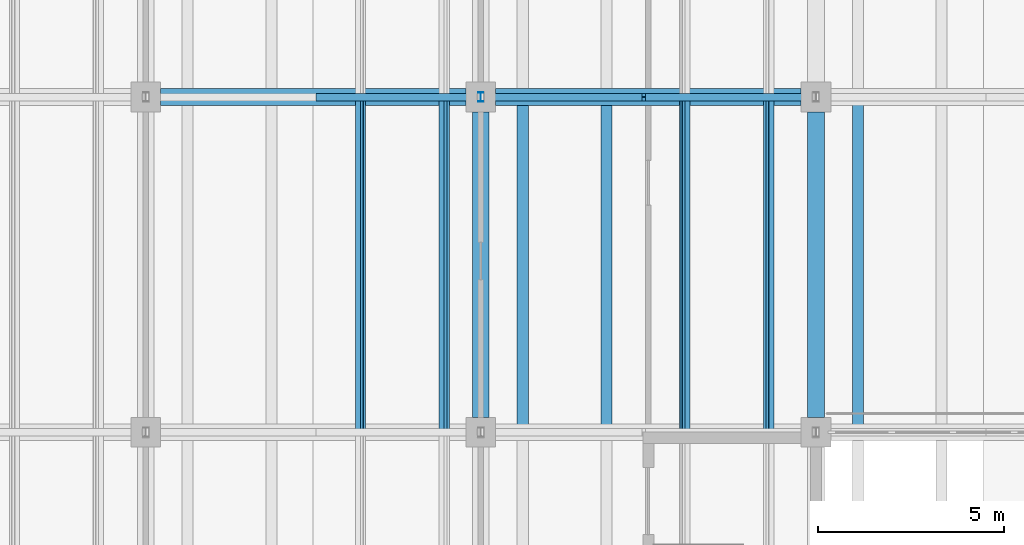
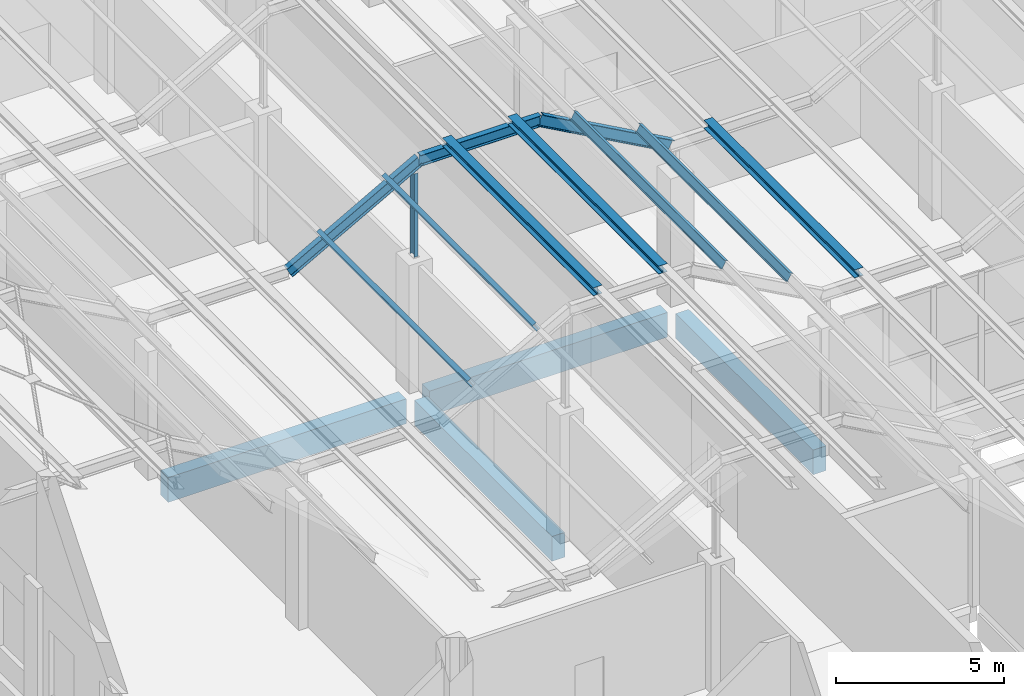
# One storey, part 34 of 437: 11 members, 4 beams.
"""IFC4 building model written with IfcOpenShell, lengths in metres."""

from ifc_helpers import new_model, si_unit, direction, frame, origin, origin_2d, place, context, subcontext, project, spatial, rectangle, i_section, extrude, material, material_profile, profile_set, type_object, element, save


model = new_model("IFC4")

# Units and contexts
model_context = context("Model", 3, precision=1e-05, world=origin(), true_north=direction((0.0, 1.0)))
body_context = subcontext(model_context, "Body", "Model", "MODEL_VIEW")
ifc_project = project(units=[si_unit("LENGTHUNIT", "METRE"), si_unit("AREAUNIT", "SQUARE_METRE"), si_unit("VOLUMEUNIT", "CUBIC_METRE"), si_unit("PLANEANGLEUNIT", "RADIAN"), si_unit("MASSUNIT", "GRAM", prefix="KILO")], contexts=[model_context])

# Site, building, storey
site_placement = place(None, origin())
site = spatial("IfcSite", under=ifc_project, at=site_placement, CompositionType="ELEMENT")
building_placement = place(site_placement, origin())
building = spatial("IfcBuilding", under=site, at=building_placement, Name="Opaline Strait Convention Centre", CompositionType="ELEMENT")
storey_placement = place(building_placement, frame((0.0, 0.0, 11.5)))
storey = spatial("IfcBuildingStorey", under=building, at=storey_placement, Name="L02", CompositionType="ELEMENT", Elevation=11.5)

# Members
ifc_material_1 = material(Name="Steel Q355B", Category="steel")
ifc_material_profile_1 = material_profile(ifc_material_1, i_section(OverallWidth=0.300048828125, OverallDepth=0.300048828125, WebThickness=0.010009765625, FlangeThickness=0.014892578125, FilletRadius=0.012939453125, at=origin_2d()), Name="HW 300x300x10x15")
ifc_profile_set_1 = profile_set([ifc_material_profile_1], Name="Steel Q355B")
member_type_1 = type_object("IfcMemberType", Name="Crest purlin HW 300x300x10x15", PredefinedType="PURLIN", material=ifc_profile_set_1)
for number, where, z_axis, x_axis, name in (
    (1, (28.125, 63.0, 8.449951171875), (0.0, 1.0, 0.0), (-1.0, 0.0, 0.0), "RU1 purlin facet 5 line 1"),
    (2, (30.375, 63.0, 8.449951171875), (0.0, 1.0, 0.0), (-1.0, 0.0, 0.0), "RU1 purlin facet 5 line 2"),
    (3, (37.125, 63.0, 5.949951171875), (0.0, 1.0, 0.0), (-1.0, 0.0, 0.0), "RU1 purlin facet 7 line 1"),
):
    element("IfcMember", number, at=place(storey_placement, frame(where, z_axis=z_axis, x_axis=x_axis)), inside=storey, type_object=member_type_1, Name=name, PredefinedType="PURLIN", context=body_context, shape_type="SweptSolid", body=[
        extrude(i_section(OverallWidth=0.300048828125, OverallDepth=0.300048828125, WebThickness=0.010009765625, FlangeThickness=0.014892578125, FilletRadius=0.012939453125, at=origin_2d()), origin(), (0.0, 0.0, 1.0), 9.0),
    ])

# Beams
ifc_material_2 = material(Name="Concrete C35", Category="concrete")
ifc_material_profile_2 = material_profile(ifc_material_2, rectangle(XDim=0.449951171875, YDim=0.89990234375, at=origin_2d()), Name="RC 450x900")
ifc_profile_set_2 = profile_set([ifc_material_profile_2], Name="Concrete C35")
beam_type = type_object("IfcBeamType", Name="RC beam 450x900 C35", PredefinedType="BEAM", material=ifc_profile_set_2)
for number, where, z_axis, x_axis, name in (
    (4, (18.39990234375, 72.0, -0.72998046875), (1.0, 0.0, 0.0), (0.0, 1.0, 0.0), "XB1 L02 18/72-27/72"),
    (5, (27.39990234375, 72.0, -0.72998046875), (1.0, 0.0, 0.0), (0.0, 1.0, 0.0), "XB1 L02 27/72-36/72"),
    (6, (27.0, 63.39990234375, -0.72998046875), (0.0, 1.0, 0.0), (-1.0, 0.0, 0.0), "XB1 L02 27/63-27/72"),
    (7, (36.0, 63.39990234375, -0.72998046875), (0.0, 1.0, 0.0), (-1.0, 0.0, 0.0), "XB1 L02 36/63-36/72"),
):
    element("IfcBeam", number, at=place(storey_placement, frame(where, z_axis=z_axis, x_axis=x_axis)), inside=storey, type_object=beam_type, Name=name, PredefinedType="BEAM", context=body_context, shape_type="SweptSolid", body=[
        extrude(rectangle(XDim=0.449951171875, YDim=0.89990234375, at=origin_2d()), origin(), (0.0, 0.0, 1.0), 8.2001953125),
    ])

# Members
ifc_material_profile_3 = material_profile(ifc_material_1, i_section(OverallWidth=0.125, OverallDepth=0.25, WebThickness=0.006103515625, FlangeThickness=0.009033203125, FilletRadius=0.008056640625, at=origin_2d()), Name="HN 250x125x6x9")
ifc_profile_set_3 = profile_set([ifc_material_profile_3], Name="Steel Q355B")
member_type_2 = type_object("IfcMemberType", Name="Roof post HN 250x125x6x9", PredefinedType="STRUT", material=ifc_profile_set_3)
member_1_placement = place(storey_placement, frame((27.0, 72.0, 4.68994140625), z_axis=(0.0, 0.0, 1.0), x_axis=(1.0, 0.0, 0.0)))
element("IfcMember", 8, at=member_1_placement, inside=storey, type_object=member_type_2, Name="RP1 roof post at 27/72", PredefinedType="STRUT", context=body_context, shape_type="SweptSolid", body=[
    extrude(i_section(OverallWidth=0.125, OverallDepth=0.25, WebThickness=0.006103515625, FlangeThickness=0.009033203125, FilletRadius=0.008056640625, at=origin_2d()), origin(), (0.0, 0.0, 1.0), 3.031005859375),
])
ifc_material_profile_4 = material_profile(ifc_material_1, i_section(OverallWidth=0.14990234375, OverallDepth=0.300048828125, WebThickness=0.006591796875, FlangeThickness=0.009033203125, FilletRadius=0.012939453125, at=origin_2d()), Name="HN 300x150x6.5x9")
ifc_profile_set_4 = profile_set([ifc_material_profile_4], Name="Steel Q355B")
member_type_3 = type_object("IfcMemberType", Name="Roof purlin HN 300x150x6.5x9", PredefinedType="PURLIN", material=ifc_profile_set_4)
for number, where, z_axis, x_axis, name in (
    (9, (23.770751953125, 63.0, 6.61279296875), (0.0, 1.0, 0.0), (-0.874157310866, 0.0, -0.485642868639), "RU1 purlin facet 4 line 1"),
    (10, (26.020751953125, 63.0, 7.86279296875), (0.0, 1.0, 0.0), (-0.874157310866, 0.0, -0.485642868639), "RU1 purlin facet 4 line 2"),
    (11, (32.479248046875, 63.0, 7.86279296875), (0.0, 1.0, 0.0), (-0.874157310866, 0.0, 0.485642868639), "RU1 purlin facet 6 line 1"),
    (12, (34.729248046875, 63.0, 6.61279296875), (0.0, 1.0, 0.0), (-0.874157310866, 0.0, 0.485642868639), "RU1 purlin facet 6 line 2"),
):
    element("IfcMember", number, at=place(storey_placement, frame(where, z_axis=z_axis, x_axis=x_axis)), inside=storey, type_object=member_type_3, Name=name, PredefinedType="PURLIN", context=body_context, shape_type="SweptSolid", body=[
        extrude(i_section(OverallWidth=0.14990234375, OverallDepth=0.300048828125, WebThickness=0.006591796875, FlangeThickness=0.009033203125, FilletRadius=0.012939453125, at=origin_2d()), origin(), (0.0, 0.0, 1.0), 9.0),
    ])
ifc_material_profile_5 = material_profile(ifc_material_1, i_section(OverallWidth=0.199951171875, OverallDepth=0.39990234375, WebThickness=0.008056640625, FlangeThickness=0.012939453125, FilletRadius=0.012939453125, at=origin_2d()), Name="HN 400x200x8x13")
ifc_profile_set_5 = profile_set([ifc_material_profile_5], Name="Steel Q355B")
member_type_4 = type_object("IfcMemberType", Name="Roof rafter HN 400x200x8x13", PredefinedType="RAFTER", material=ifc_profile_set_5)
member_2_placement = place(storey_placement, frame((22.66845703125, 72.0, 5.60009765625), z_axis=(0.874157276122, 0.0, 0.485642931179), x_axis=(0.0, 1.0, 0.0)))
element("IfcMember", 13, at=member_2_placement, inside=storey, type_object=member_type_4, Name="RR1 rafter line 8 facet 5", PredefinedType="RAFTER", context=body_context, shape_type="SweptSolid", body=[
    extrude(i_section(OverallWidth=0.199951171875, OverallDepth=0.39990234375, WebThickness=0.008056640625, FlangeThickness=0.012939453125, FilletRadius=0.012939453125, at=origin_2d()), origin(), (0.0, 0.0, 1.0), 5.147705078125),
])
member_3_placement = place(storey_placement, frame((27.16845703125, 72.0, 8.10009765625), z_axis=(1.0, 0.0, 0.0), x_axis=(0.0, 1.0, 0.0)))
element("IfcMember", 14, at=member_3_placement, inside=storey, type_object=member_type_4, Name="RR1 rafter line 8 facet 6", PredefinedType="RAFTER", context=body_context, shape_type="SweptSolid", body=[
    extrude(i_section(OverallWidth=0.199951171875, OverallDepth=0.39990234375, WebThickness=0.008056640625, FlangeThickness=0.012939453125, FilletRadius=0.012939453125, at=origin_2d()), origin(), (0.0, 0.0, 1.0), 4.1630859375),
])
member_4_placement = place(storey_placement, frame((31.33154296875, 72.0, 8.10009765625), z_axis=(0.874157276122, 0.0, -0.485642931179), x_axis=(0.0, 1.0, 0.0)))
element("IfcMember", 15, at=member_4_placement, inside=storey, type_object=member_type_4, Name="RR1 rafter line 8 facet 7", PredefinedType="RAFTER", context=body_context, shape_type="SweptSolid", body=[
    extrude(i_section(OverallWidth=0.199951171875, OverallDepth=0.39990234375, WebThickness=0.008056640625, FlangeThickness=0.012939453125, FilletRadius=0.012939453125, at=origin_2d()), origin(), (0.0, 0.0, 1.0), 5.147705078125),
])

save(model, "model.ifc")
